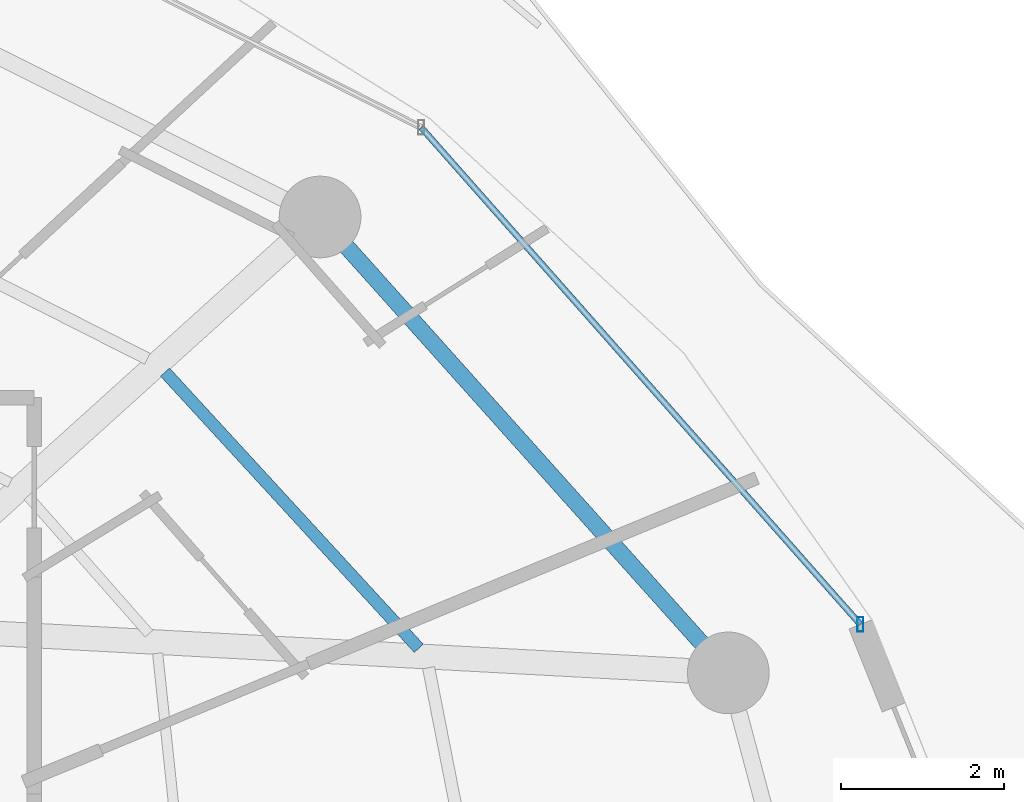
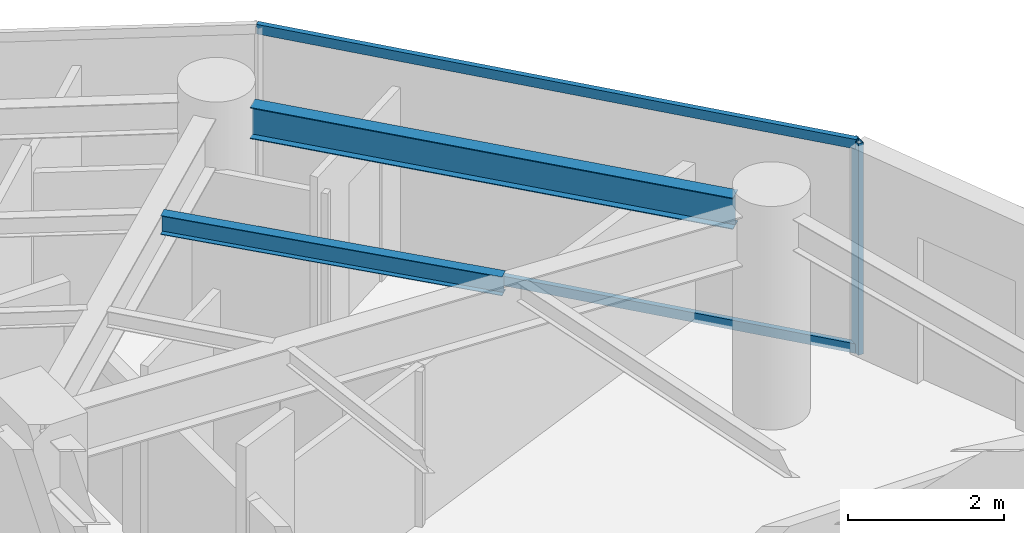
# One storey, part 13 of 28: 3 members, 2 beams, 1 element without a shape of its own.
"""IFC4 building model written with IfcOpenShell, lengths in metres."""

from ifc_helpers import new_model, si_unit, direction, frame, origin, origin_2d, place, context, subcontext, project, spatial, hollow_rectangle, i_section, extrude, material, material_profile, profile_set, type_object, element, aggregate, save


model = new_model("IFC4")

# Units and contexts
model_context = context("Model", 3, precision=1e-05, world=origin(), true_north=direction((0.0, 1.0)))
body_context = subcontext(model_context, "Body", "Model", "MODEL_VIEW")
ifc_project = project(units=[si_unit("LENGTHUNIT", "METRE"), si_unit("AREAUNIT", "SQUARE_METRE"), si_unit("VOLUMEUNIT", "CUBIC_METRE"), si_unit("PLANEANGLEUNIT", "RADIAN"), si_unit("MASSUNIT", "GRAM", prefix="KILO")], contexts=[model_context])

# Site, building, storey
site_placement = place(None, origin())
site = spatial("IfcSite", under=ifc_project, at=site_placement, CompositionType="ELEMENT")
building_placement = place(site_placement, origin())
building = spatial("IfcBuilding", under=site, at=building_placement, Name="Vorneva Point Tower", CompositionType="ELEMENT")
storey_placement = place(building_placement, frame((0.0, 0.0, 139.60009765625)))
storey = spatial("IfcBuildingStorey", under=building, at=storey_placement, Name="L37", CompositionType="ELEMENT", Elevation=139.60009765625)

# Beams
ifc_material_1 = material(Name="Steel S355", Category="steel")
ifc_material_profile_1 = material_profile(ifc_material_1, i_section(OverallWidth=0.14892578125, OverallDepth=0.298095703125, WebThickness=0.005615234375, FlangeThickness=0.008056640625, at=origin_2d()), Name="30B1")
ifc_profile_set_1 = profile_set([ifc_material_profile_1], Name="Steel S355")
beam_type_1 = type_object("IfcBeamType", Name="BM-JST-30B1", PredefinedType="JOIST", material=ifc_profile_set_1)
beam_1_placement = place(storey_placement, frame((55.507568359375, 32.8828125, 3.0908203125), z_axis=(-0.676639317831, 0.736314629465, 0.0), x_axis=(-0.736314629465, -0.676639317831, 0.0)))
element("IfcBeam", 1, at=beam_1_placement, inside=storey, type_object=beam_type_1, Name="L37 Secondary Floor Beam 1.02", PredefinedType="JOIST", context=body_context, shape_type="SweptSolid", body=[
    extrude(i_section(OverallWidth=0.14892578125, OverallDepth=0.298095703125, WebThickness=0.005615234375, FlangeThickness=0.008056640625, at=origin_2d()), origin(), (0.0, 0.0, 1.0), 4.59033203125),
])
ifc_material_profile_2 = material_profile(ifc_material_1, i_section(OverallWidth=0.199951171875, OverallDepth=0.491943359375, WebThickness=0.0087890625, FlangeThickness=0.011962890625, at=origin_2d()), Name="50B1")
ifc_profile_set_2 = profile_set([ifc_material_profile_2], Name="Steel S355")
beam_type_2 = type_object("IfcBeamType", Name="BM-SPN-50B1", PredefinedType="SPANDREL", material=ifc_profile_set_2)
beam_2_placement = place(storey_placement, frame((58.971923828125, 32.943603515625, 2.993896484375), z_axis=(-0.667111118975, 0.74495822362, 0.0), x_axis=(-0.74495822362, -0.667111118975, 0.0)))
element("IfcBeam", 2, at=beam_2_placement, inside=storey, type_object=beam_type_2, Name="L37 Perimeter Spandrel Ring Beam 02", PredefinedType="SPANDREL", context=body_context, shape_type="SweptSolid", body=[
    extrude(i_section(OverallWidth=0.199951171875, OverallDepth=0.491943359375, WebThickness=0.0087890625, FlangeThickness=0.011962890625, at=origin_2d()), origin(), (0.0, 0.0, 1.0), 6.52001953125),
])

# Curtain wall, members
ifc_material_2 = material(Name="Pale anodised aluminium", Category="aluminium")
curtain_wall_type = type_object("IfcCurtainWallType", Name="CW-RES-SYS", PredefinedType="NOTDEFINED", material=ifc_material_2)
curtain_wall_placement = place(storey_placement, origin())
curtain_wall = element("IfcCurtainWall", 3, at=curtain_wall_placement, inside=storey, type_object=curtain_wall_type, Name="L37 Unitised Curtain Wall CW-L37-R01", PredefinedType="NOTDEFINED")
ifc_material_profile_3 = material_profile(ifc_material_2, hollow_rectangle(XDim=0.074951171875, YDim=0.179931640625, WallThickness=0.00390625, at=origin_2d()), Name="AL-MUL 180x75x4")
ifc_profile_set_3 = profile_set([ifc_material_profile_3], Name="Pale anodised aluminium")
member_type_1 = type_object("IfcMemberType", Name="CW-MUL-180", PredefinedType="MULLION", material=ifc_profile_set_3)
member_1_placement = place(storey_placement, frame((60.912109375, 33.17529296875, -0.0400390625), z_axis=(0.0, 0.0, 1.0), x_axis=(1.0, 0.0, 0.0)))
member_1 = element("IfcMember", 4, at=member_1_placement, type_object=member_type_1, Name="CW-L37-R01 Mullion 01", PredefinedType="MULLION", context=body_context, shape_type="SweptSolid", body=[
    extrude(hollow_rectangle(XDim=0.074951171875, YDim=0.179931640625, WallThickness=0.00390625, at=origin_2d()), origin(), (0.0, 0.0, 1.0), 3.31005859375),
])
ifc_material_profile_4 = material_profile(ifc_material_2, hollow_rectangle(XDim=0.074951171875, YDim=0.14990234375, WallThickness=0.00390625, at=origin_2d()), Name="AL-TRN 150x75x4")
ifc_profile_set_4 = profile_set([ifc_material_profile_4], Name="Pale anodised aluminium")
member_type_2 = type_object("IfcMemberType", Name="CW-TRN-150", PredefinedType="USERDEFINED", material=ifc_profile_set_4)
member_2_placement = place(storey_placement, frame((60.912109375, 33.17529296875, 0.02001953125), z_axis=(-0.662218216609, 0.749311039283, 0.0), x_axis=(-0.749311039283, -0.662218216609, 0.0)))
member_2 = element("IfcMember", 5, at=member_2_placement, type_object=member_type_2, Name="CW-L37-R01 Transom 01.1", ObjectType="TRANSOM", PredefinedType="USERDEFINED", context=body_context, shape_type="SweptSolid", body=[
    extrude(hollow_rectangle(XDim=0.074951171875, YDim=0.14990234375, WallThickness=0.00390625, at=origin_2d()), origin(), (0.0, 0.0, 1.0), 8.1181640625),
])
member_3_placement = place(storey_placement, frame((60.912109375, 33.17529296875, 3.219970703125), z_axis=(-0.662218216609, 0.749311039283, 0.0), x_axis=(-0.749311039283, -0.662218216609, 0.0)))
member_3 = element("IfcMember", 6, at=member_3_placement, type_object=member_type_2, Name="CW-L37-R01 Transom 01.2", ObjectType="TRANSOM", PredefinedType="USERDEFINED", context=body_context, shape_type="SweptSolid", body=[
    extrude(hollow_rectangle(XDim=0.074951171875, YDim=0.14990234375, WallThickness=0.00390625, at=origin_2d()), origin(), (0.0, 0.0, 1.0), 8.1181640625),
])
aggregate(curtain_wall, [member_1, member_2, member_3])

save(model, "model.ifc")
